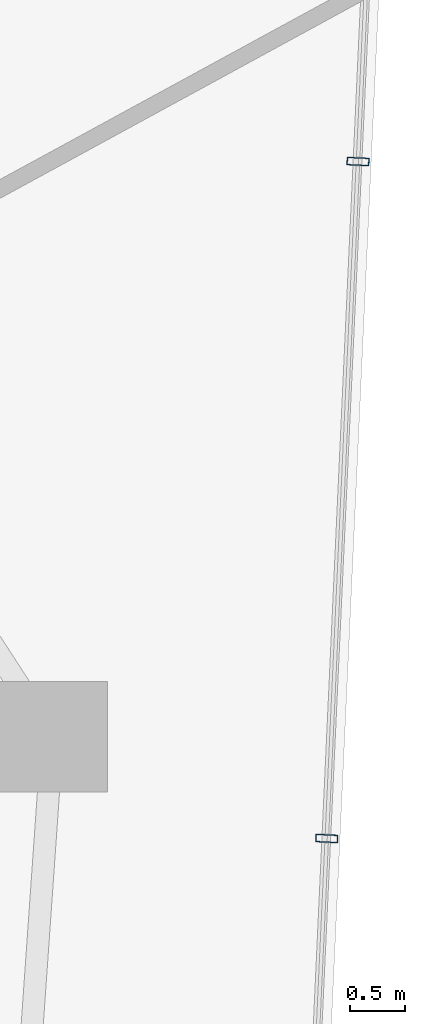
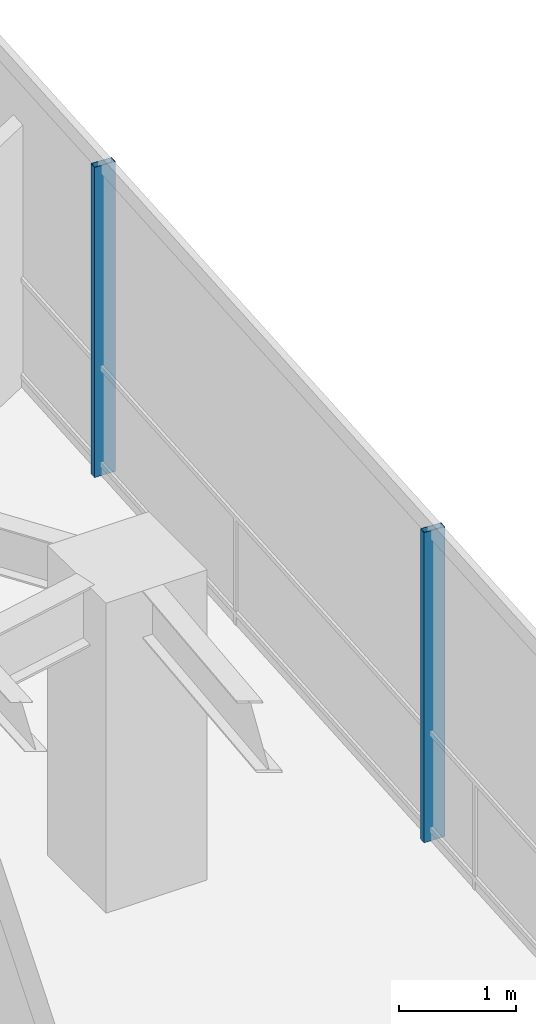
# One storey, part 10 of 20: 2 members, 1 element without a shape of its own.
"""IFC4 building model written with IfcOpenShell, lengths in metres."""

from ifc_helpers import new_model, si_unit, direction, frame, origin, origin_2d, place, context, subcontext, project, spatial, hollow_rectangle, extrude, material, layer, layer_set, material_profile, profile_set, type_object, element, aggregate, save


model = new_model("IFC4")

# Units and contexts
model_context = context("Model", 3, precision=1e-05, world=origin(), true_north=direction((0.0, 1.0)))
body_context = subcontext(model_context, "Body", "Model", "MODEL_VIEW")
ifc_project = project(units=[si_unit("LENGTHUNIT", "METRE"), si_unit("AREAUNIT", "SQUARE_METRE"), si_unit("VOLUMEUNIT", "CUBIC_METRE"), si_unit("PLANEANGLEUNIT", "RADIAN"), si_unit("MASSUNIT", "GRAM", prefix="KILO")], contexts=[model_context])

# Site, building, storey
site_placement = place(None, origin())
site = spatial("IfcSite", under=ifc_project, at=site_placement, CompositionType="ELEMENT")
building_placement = place(site_placement, origin())
building = spatial("IfcBuilding", under=site, at=building_placement, Name="Qarnah Convention Tower", CompositionType="ELEMENT")
storey_placement = place(building_placement, frame((0.0, 0.0, 168.89990234375)))
storey = spatial("IfcBuildingStorey", under=building, at=storey_placement, Name="L45", CompositionType="ELEMENT", Elevation=168.89990234375)

# Curtain wall, members
ifc_material_1 = material(Name="Tempered Low-E dark glass", Category="glass")
ifc_layer = layer(ifc_material_1, 0.172119140625)
ifc_layer_set = layer_set([ifc_layer], Name="Tempered Low-E dark glass")
curtain_wall_type = type_object("IfcCurtainWallType", Name="CWS-03", PredefinedType="NOTDEFINED", material=ifc_layer_set)
curtain_wall_placement = place(storey_placement, origin())
curtain_wall = element("IfcCurtainWall", 1, at=curtain_wall_placement, inside=storey, type_object=curtain_wall_type, Name="L45 unitised curtain wall CW-L45-F3", PredefinedType="NOTDEFINED")
ifc_material_2 = material(Name="Black anodised aluminium", Category="aluminium")
ifc_material_profile = material_profile(ifc_material_2, hollow_rectangle(XDim=0.070068359375, YDim=0.199951171875, WallThickness=0.0048828125, at=origin_2d()), Name="MUL-70X200")
ifc_profile_set = profile_set([ifc_material_profile], Name="Black anodised aluminium")
member_type = type_object("IfcMemberType", Name="MUL-T3", PredefinedType="MULLION", material=ifc_profile_set)
member_1_placement = place(storey_placement, frame((54.492431640625, 34.696044921875, 0.0), z_axis=(0.0, 0.0, 1.0), x_axis=(-0.04605972752, -0.998938687558, 0.0)))
member_1 = element("IfcMember", 2, at=member_1_placement, type_object=member_type, Name="CW-L45-F3 mullion 2", PredefinedType="MULLION", context=body_context, shape_type="SweptSolid", body=[
    extrude(hollow_rectangle(XDim=0.070068359375, YDim=0.199951171875, WallThickness=0.0048828125, at=origin_2d()), origin(), (0.0, 0.0, 1.0), 3.239990234375),
])
member_2_placement = place(storey_placement, frame((54.209716796875, 28.56689453125, 0.0), z_axis=(0.0, 0.0, 1.0), x_axis=(-0.04605972752, -0.998938687558, 0.0)))
member_2 = element("IfcMember", 3, at=member_2_placement, type_object=member_type, Name="CW-L45-F3 mullion 3", PredefinedType="MULLION", context=body_context, shape_type="SweptSolid", body=[
    extrude(hollow_rectangle(XDim=0.070068359375, YDim=0.199951171875, WallThickness=0.0048828125, at=origin_2d()), origin(), (0.0, 0.0, 1.0), 3.239990234375),
])
aggregate(curtain_wall, [member_1, member_2])

save(model, "model.ifc")
